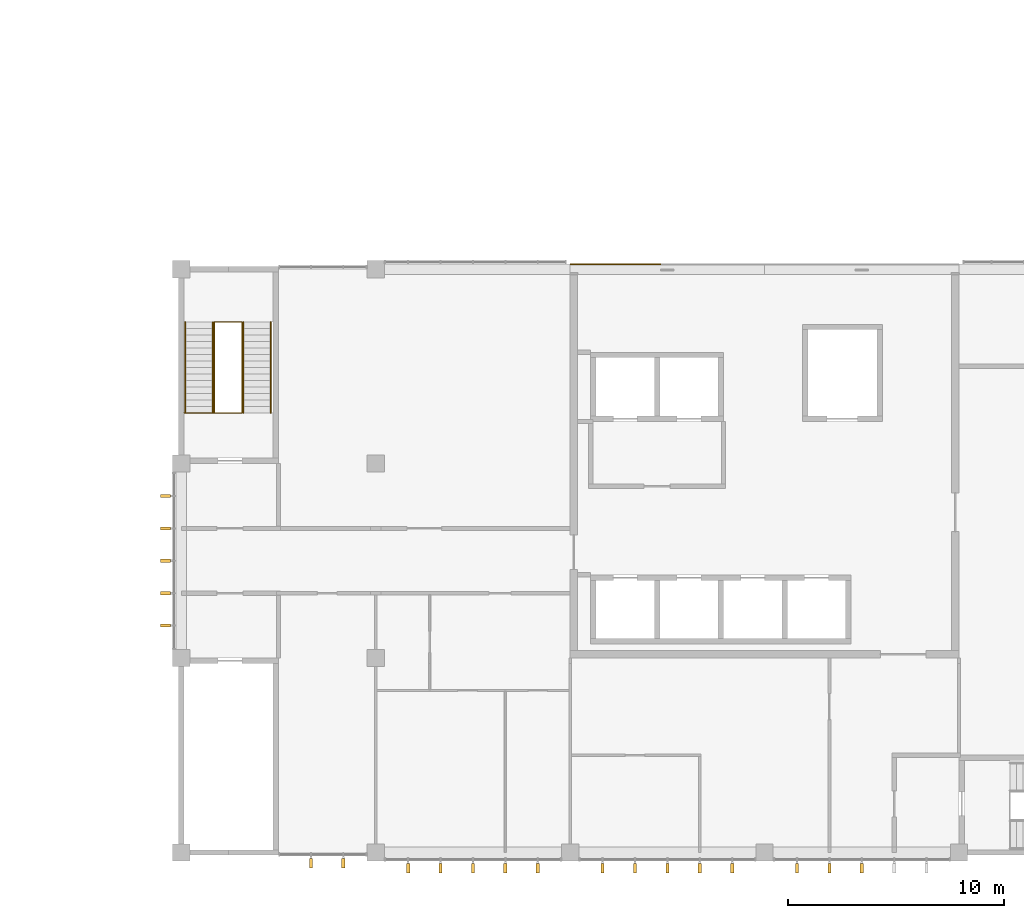
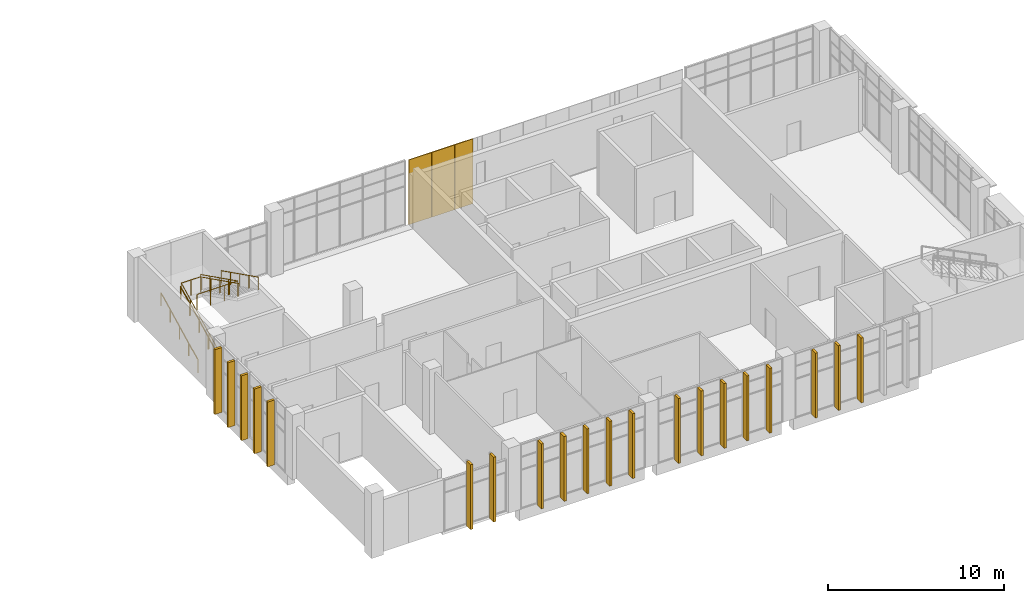
# One storey, part 18 of 19: 20 shading devices, 5 railings, 3 coverings.
"""IFC4 building model written with IfcOpenShell, lengths in metres."""

from ifc_helpers import new_model, si_unit, direction, frame, origin, origin_2d, place, context, subcontext, project, spatial, rectangle, circle, extrude, material, layer, layer_set, type_object, element, save


model = new_model("IFC4")

# Units and contexts
model_context = context("Model", 3, precision=1e-05, world=origin(), true_north=direction((0.0, 1.0)))
body_context = subcontext(model_context, "Body", "Model", "MODEL_VIEW")
ifc_project = project(units=[si_unit("LENGTHUNIT", "METRE"), si_unit("AREAUNIT", "SQUARE_METRE"), si_unit("VOLUMEUNIT", "CUBIC_METRE"), si_unit("PLANEANGLEUNIT", "RADIAN"), si_unit("MASSUNIT", "GRAM", prefix="KILO")], contexts=[model_context])

# Site, building, storey
site_placement = place(None, origin())
site = spatial("IfcSite", under=ifc_project, at=site_placement, CompositionType="ELEMENT")
building_placement = place(site_placement, origin())
building = spatial("IfcBuilding", under=site, at=building_placement, Name="Guidao Yard Department Store", CompositionType="ELEMENT")
storey_placement = place(building_placement, frame((0.0, 0.0, 33.0)))
storey = spatial("IfcBuildingStorey", under=building, at=storey_placement, Name="L07", CompositionType="ELEMENT", Elevation=33.0)

# Coverings
ifc_material_1 = material(Name="Anodised aluminium 6063-T5 cladding", Category="aluminium")
ifc_layer = layer(ifc_material_1, 0.050048828125)
ifc_layer_set = layer_set([ifc_layer], Name="Facade cladding CP1 anodised aluminium panel 6063")
covering_type = type_object("IfcCoveringType", Name="Facade cladding CP1 anodised aluminium panel 6063", PredefinedType="CLADDING", material=ifc_layer_set)
for number, where, z_axis, x_axis, name in (
    (1, (144.75, 27.22509765625, 0.0), (0.0, 0.0, 1.0), (1.0, 0.0, 0.0), "Core face cladding"),
    (2, (146.25, 27.22509765625, 0.0), (0.0, 0.0, 1.0), (1.0, 0.0, 0.0), "Core face cladding"),
):
    element("IfcCovering", number, at=place(storey_placement, frame(where, z_axis=z_axis, x_axis=x_axis)), inside=storey, type_object=covering_type, Name=name, PredefinedType="CLADDING", context=body_context, shape_type="SweptSolid", body=[
        extrude(rectangle(XDim=1.47998046875, YDim=0.050048828125, at=origin_2d()), origin(), (0.0, 0.0, 1.0), 4.5),
    ])
covering_placement = place(storey_placement, frame((147.60009765625, 27.22509765625, 0.0), z_axis=(0.0, 0.0, 1.0), x_axis=(1.0, 0.0, 0.0)))
element("IfcCovering", 3, at=covering_placement, inside=storey, type_object=covering_type, Name="Core face cladding", PredefinedType="CLADDING", context=body_context, shape_type="SweptSolid", body=[
    extrude(rectangle(XDim=1.179931640625, YDim=0.050048828125, at=origin_2d()), origin(), (0.0, 0.0, 1.0), 4.5),
])

# Railings
ifc_material_2 = material(Name="Steel Q235", Category="steel")
railing_type_1 = type_object("IfcRailingType", Name="Guard steel balustrade 1100", PredefinedType="GUARDRAIL", material=ifc_material_2)
railing_placement = place(storey_placement, frame((127.52490234375, 20.35009765625, 0.14990234375)))
element("IfcRailing", 4, at=railing_placement, inside=storey, type_object=railing_type_1, Name="Stair O3 guard L07 2", PredefinedType="GUARDRAIL", context=body_context, shape_type="SweptSolid", body=[
    extrude(circle(Radius=0.02392578125, at=origin_2d()), frame((0.0, 0.0, 1.076171875), z_axis=(0.0, 0.894416792377, 0.447234392142), x_axis=(-1.0, 0.0, 0.0)), (0.0, 0.0, 1.0), 4.69580078125),
    extrude(circle(Radius=0.02392578125, at=origin_2d()), frame((0.0, 4.199951171875, 3.17626953125), z_axis=(1.0, 0.0, 0.0), x_axis=(0.0, 1.0, 0.0)), (0.0, 0.0, 1.0), 1.275146484375),
    extrude(circle(Radius=0.02392578125, at=origin_2d()), frame((1.275146484375, 4.199951171875, 3.17626953125), z_axis=(0.0, 0.0, 1.0), x_axis=(1.0, 0.0, 0.0)), (0.0, 0.0, 1.0), 0.14990234375),
    extrude(circle(Radius=0.02392578125, at=origin_2d()), frame((1.275146484375, 4.199951171875, 3.326171875), z_axis=(0.0, -0.894416792377, 0.447234392142), x_axis=(1.0, 0.0, 0.0)), (0.0, 0.0, 1.0), 4.69580078125),
    extrude(circle(Radius=0.02392578125, at=origin_2d()), frame((1.275146484375, 0.0, 5.42626953125), z_axis=(-1.0, 0.0, 0.0), x_axis=(0.0, -1.0, 0.0)), (0.0, 0.0, 1.0), 2.675048828125),
    extrude(circle(Radius=0.02099609375, at=origin_2d()), origin(), (0.0, 0.0, 1.0), 1.052001953125),
    extrude(circle(Radius=0.02099609375, at=origin_2d()), frame((0.0, 1.050048828125, 0.52490234375)), (0.0, 0.0, 1.0), 1.052001953125),
    extrude(circle(Radius=0.02099609375, at=origin_2d()), frame((0.0, 2.10009765625, 1.050048828125)), (0.0, 0.0, 1.0), 1.052001953125),
    extrude(circle(Radius=0.02099609375, at=origin_2d()), frame((0.0, 3.14990234375, 1.5751953125)), (0.0, 0.0, 1.0), 1.052001953125),
    extrude(circle(Radius=0.02099609375, at=origin_2d()), frame((0.0, 4.199951171875, 2.10009765625)), (0.0, 0.0, 1.0), 1.052001953125),
    extrude(circle(Radius=0.02099609375, at=origin_2d()), frame((0.6376953125, 4.199951171875, 2.10009765625)), (0.0, 0.0, 1.0), 1.052001953125),
    extrude(circle(Radius=0.02099609375, at=origin_2d()), frame((1.275146484375, 4.199951171875, 2.10009765625)), (0.0, 0.0, 1.0), 1.052001953125),
    extrude(circle(Radius=0.02099609375, at=origin_2d()), frame((1.275146484375, 4.199951171875, 2.25)), (0.0, 0.0, 1.0), 1.052001953125),
    extrude(circle(Radius=0.02099609375, at=origin_2d()), frame((1.275146484375, 3.14990234375, 2.77490234375)), (0.0, 0.0, 1.0), 1.052001953125),
    extrude(circle(Radius=0.02099609375, at=origin_2d()), frame((1.275146484375, 2.10009765625, 3.300048828125)), (0.0, 0.0, 1.0), 1.052001953125),
    extrude(circle(Radius=0.02099609375, at=origin_2d()), frame((1.275146484375, 1.050048828125, 3.8251953125)), (0.0, 0.0, 1.0), 1.052001953125),
    extrude(circle(Radius=0.02099609375, at=origin_2d()), frame((1.275146484375, 0.0, 4.35009765625)), (0.0, 0.0, 1.0), 1.052001953125),
    extrude(circle(Radius=0.02099609375, at=origin_2d()), frame((0.383544921875, 0.0, 4.35009765625)), (0.0, 0.0, 1.0), 1.052001953125),
    extrude(circle(Radius=0.02099609375, at=origin_2d()), frame((-0.50830078125, 0.0, 4.35009765625)), (0.0, 0.0, 1.0), 1.052001953125),
    extrude(circle(Radius=0.02099609375, at=origin_2d()), frame((-1.39990234375, 0.0, 4.35009765625)), (0.0, 0.0, 1.0), 1.052001953125),
])
ifc_material_3 = material(Name="Steel Q235", Category="steel")
railing_type_2 = type_object("IfcRailingType", Name="Handrail steel tube 48", PredefinedType="HANDRAIL", material=ifc_material_3)
for number, where, name in (
    (5, (126.18505859375, 20.35009765625, 0.14990234375), "Stair O3 hand rail L07 5"),
    (6, (127.465087890625, 20.35009765625, 0.14990234375), "Stair O3 hand rail L07 6"),
):
    element("IfcRailing", number, at=place(storey_placement, frame(where)), inside=storey, type_object=railing_type_2, Name=name, PredefinedType="HANDRAIL", context=body_context, shape_type="SweptSolid", body=[
        extrude(circle(Radius=0.02392578125, at=origin_2d()), frame((0.0, 0.0, 0.8759765625), z_axis=(0.0, 0.894416792377, 0.447234392142), x_axis=(-1.0, 0.0, 0.0)), (0.0, 0.0, 1.0), 4.69580078125),
        extrude(circle(Radius=0.02099609375, at=origin_2d()), origin(), (0.0, 0.0, 1.0), 0.851806640625),
        extrude(circle(Radius=0.02099609375, at=origin_2d()), frame((0.0, 1.050048828125, 0.52490234375)), (0.0, 0.0, 1.0), 0.851806640625),
        extrude(circle(Radius=0.02099609375, at=origin_2d()), frame((0.0, 2.10009765625, 1.050048828125)), (0.0, 0.0, 1.0), 0.851806640625),
        extrude(circle(Radius=0.02099609375, at=origin_2d()), frame((0.0, 3.14990234375, 1.5751953125)), (0.0, 0.0, 1.0), 0.851806640625),
        extrude(circle(Radius=0.02099609375, at=origin_2d()), frame((0.0, 4.199951171875, 2.10009765625)), (0.0, 0.0, 1.0), 0.851806640625),
    ])
for number, where, name in (
    (7, (128.860107421875, 24.550048828125, 2.39990234375), "Stair O3 hand rail L07 7"),
    (8, (130.139892578125, 24.550048828125, 2.39990234375), "Stair O3 hand rail L07 8"),
):
    element("IfcRailing", number, at=place(storey_placement, frame(where)), inside=storey, type_object=railing_type_2, Name=name, PredefinedType="HANDRAIL", context=body_context, shape_type="SweptSolid", body=[
        extrude(circle(Radius=0.02392578125, at=origin_2d()), frame((0.0, 0.0, 0.8759765625), z_axis=(0.0, -0.894416792377, 0.447234392142), x_axis=(1.0, 0.0, 0.0)), (0.0, 0.0, 1.0), 4.69580078125),
        extrude(circle(Radius=0.02099609375, at=origin_2d()), origin(), (0.0, 0.0, 1.0), 0.851806640625),
        extrude(circle(Radius=0.02099609375, at=origin_2d()), frame((0.0, -1.050048828125, 0.52490234375)), (0.0, 0.0, 1.0), 0.851806640625),
        extrude(circle(Radius=0.02099609375, at=origin_2d()), frame((0.0, -2.10009765625, 1.050048828125)), (0.0, 0.0, 1.0), 0.851806640625),
        extrude(circle(Radius=0.02099609375, at=origin_2d()), frame((0.0, -3.14990234375, 1.5751953125)), (0.0, 0.0, 1.0), 0.851806640625),
        extrude(circle(Radius=0.02099609375, at=origin_2d()), frame((0.0, -4.199951171875, 2.10009765625)), (0.0, 0.0, 1.0), 0.851806640625),
    ])

# Shading devices
ifc_material_4 = material(Name="Aluminium 6063-T5", Category="aluminium")
shading_device_type = type_object("IfcShadingDeviceType", Name="Vertical fin FN2 aluminium 150 x 450", PredefinedType="SHUTTER", material=ifc_material_4)
for number, where, z_axis, x_axis, name in (
    (9, (132.0, -0.5048828125, 0.0), (0.0, 0.0, 1.0), (-1.0, 0.0, 0.0), "Vertical fin"),
    (10, (133.5, -0.5048828125, 0.0), (0.0, 0.0, 1.0), (-1.0, 0.0, 0.0), "Vertical fin"),
    (11, (136.5, -0.735107421875, 0.0), (0.0, 0.0, 1.0), (-1.0, 0.0, 0.0), "Vertical fin"),
    (12, (138.0, -0.735107421875, 0.0), (0.0, 0.0, 1.0), (-1.0, 0.0, 0.0), "Vertical fin"),
    (13, (139.5, -0.735107421875, 0.0), (0.0, 0.0, 1.0), (-1.0, 0.0, 0.0), "Vertical fin"),
    (14, (141.0, -0.735107421875, 0.0), (0.0, 0.0, 1.0), (-1.0, 0.0, 0.0), "Vertical fin"),
    (15, (142.5, -0.735107421875, 0.0), (0.0, 0.0, 1.0), (-1.0, 0.0, 0.0), "Vertical fin"),
    (16, (145.5, -0.735107421875, 0.0), (0.0, 0.0, 1.0), (-1.0, 0.0, 0.0), "Vertical fin"),
    (17, (147.0, -0.735107421875, 0.0), (0.0, 0.0, 1.0), (-1.0, 0.0, 0.0), "Vertical fin"),
    (18, (148.5, -0.735107421875, 0.0), (0.0, 0.0, 1.0), (-1.0, 0.0, 0.0), "Vertical fin"),
    (19, (150.0, -0.735107421875, 0.0), (0.0, 0.0, 1.0), (-1.0, 0.0, 0.0), "Vertical fin"),
    (20, (151.5, -0.735107421875, 0.0), (0.0, 0.0, 1.0), (-1.0, 0.0, 0.0), "Vertical fin"),
    (21, (154.5, -0.735107421875, 0.0), (0.0, 0.0, 1.0), (-1.0, 0.0, 0.0), "Vertical fin"),
    (22, (156.0, -0.735107421875, 0.0), (0.0, 0.0, 1.0), (-1.0, 0.0, 0.0), "Vertical fin"),
    (23, (157.5, -0.735107421875, 0.0), (0.0, 0.0, 1.0), (-1.0, 0.0, 0.0), "Vertical fin"),
    (24, (125.264892578125, 10.5, 0.0), (0.0, 0.0, 1.0), (0.0, 1.0, 0.0), "Vertical fin"),
    (25, (125.264892578125, 12.0, 0.0), (0.0, 0.0, 1.0), (0.0, 1.0, 0.0), "Vertical fin"),
    (26, (125.264892578125, 13.5, 0.0), (0.0, 0.0, 1.0), (0.0, 1.0, 0.0), "Vertical fin"),
    (27, (125.264892578125, 15.0, 0.0), (0.0, 0.0, 1.0), (0.0, 1.0, 0.0), "Vertical fin"),
    (28, (125.264892578125, 16.5, 0.0), (0.0, 0.0, 1.0), (0.0, 1.0, 0.0), "Vertical fin"),
):
    element("IfcShadingDevice", number, at=place(storey_placement, frame(where, z_axis=z_axis, x_axis=x_axis)), inside=storey, type_object=shading_device_type, Name=name, PredefinedType="SHUTTER", context=body_context, shape_type="SweptSolid", body=[
        extrude(rectangle(XDim=0.14990234375, YDim=0.449951171875, at=origin_2d()), origin(), (0.0, 0.0, 1.0), 4.5),
    ])

save(model, "model.ifc")
